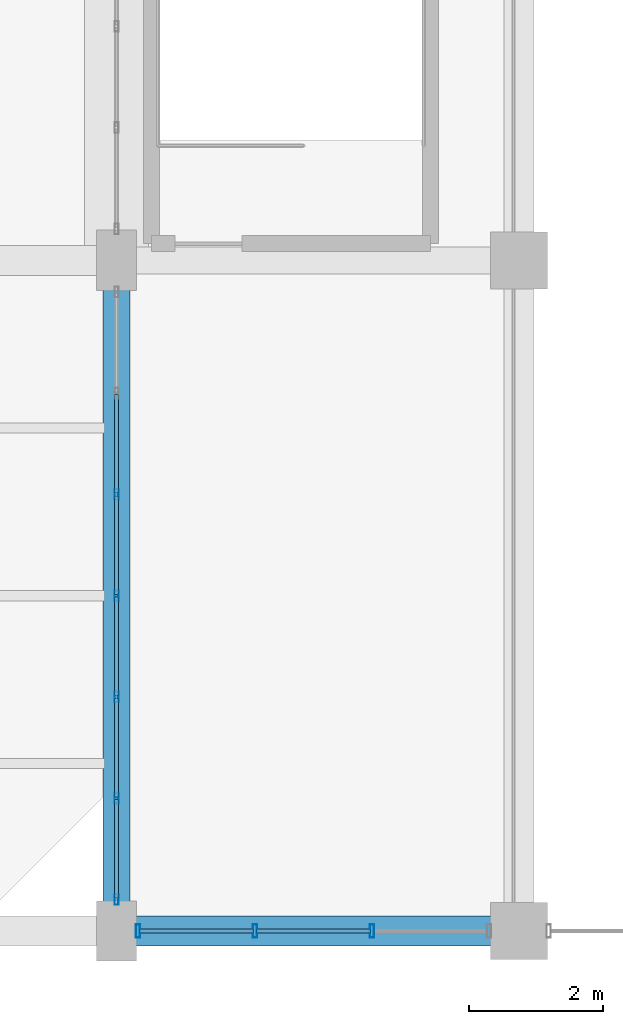
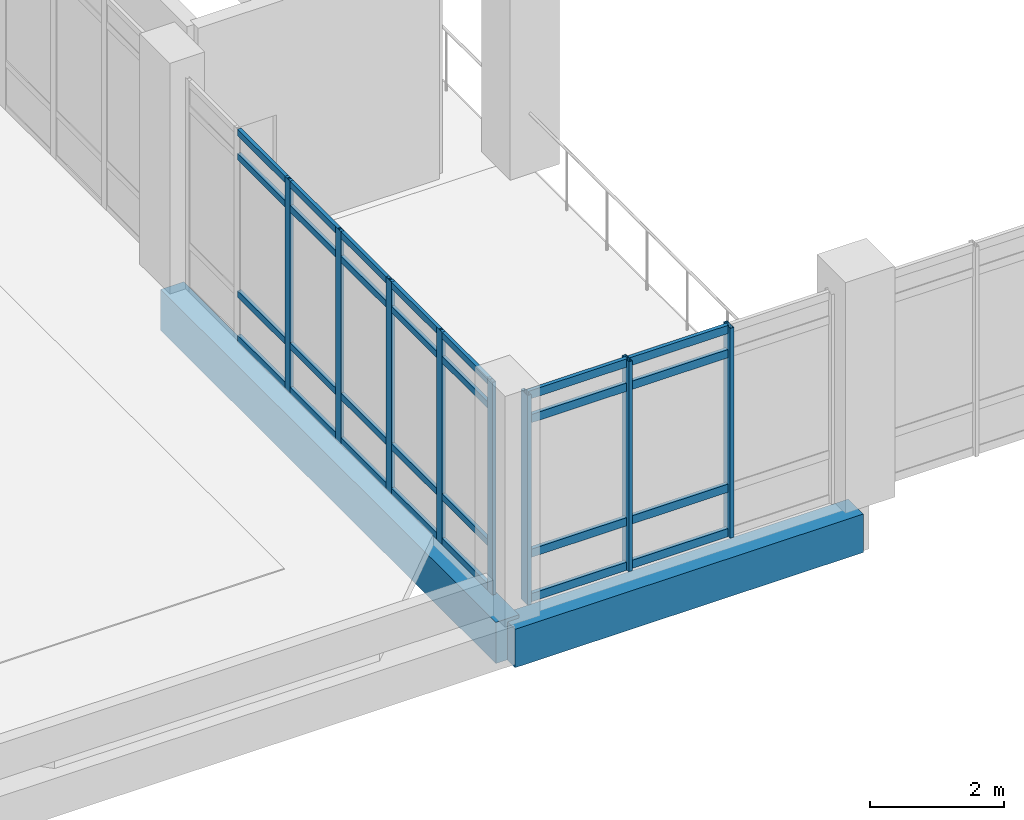
# One storey, part 47 of 161: 36 members, 2 beams, 2 elements without a shape of their own.
"""IFC4 building model written with IfcOpenShell, lengths in metres."""

from ifc_helpers import new_model, si_unit, direction, frame, origin, origin_2d, place, context, subcontext, project, spatial, rectangle, hollow_rectangle, extrude, material, layer, layer_set, material_profile, profile_set, type_object, element, aggregate, save


model = new_model("IFC4")

# Units and contexts
model_context = context("Model", 3, precision=1e-05, world=origin(), true_north=direction((0.0, 1.0)))
body_context = subcontext(model_context, "Body", "Model", "MODEL_VIEW")
ifc_project = project(units=[si_unit("LENGTHUNIT", "METRE"), si_unit("AREAUNIT", "SQUARE_METRE"), si_unit("VOLUMEUNIT", "CUBIC_METRE"), si_unit("PLANEANGLEUNIT", "RADIAN"), si_unit("MASSUNIT", "GRAM", prefix="KILO")], contexts=[model_context])

# Site, building, storey
site_placement = place(None, origin())
site = spatial("IfcSite", under=ifc_project, at=site_placement, CompositionType="ELEMENT")
building_placement = place(site_placement, origin())
building = spatial("IfcBuilding", under=site, at=building_placement, Name="Mersad Railyard Sports Hall", CompositionType="ELEMENT")
storey_placement = place(building_placement, frame((0.0, 0.0, 4.800048828125)))
storey = spatial("IfcBuildingStorey", under=building, at=storey_placement, Name="L01", CompositionType="ELEMENT", Elevation=4.800048828125)

# Curtain wall, members
ifc_material_1 = material(Name="Aluminium 6063-T6", Category="aluminium")
ifc_layer_1 = layer(ifc_material_1, 0.159912109375)
ifc_layer_set_1 = layer_set([ifc_layer_1], Name="Aluminium 6063-T6")
curtain_wall_type_1 = type_object("IfcCurtainWallType", Name="ARC-CW-CW14", PredefinedType="USERDEFINED", material=ifc_layer_set_1)
curtain_wall_1_placement = place(storey_placement, origin())
curtain_wall_1 = element("IfcCurtainWall", 1, at=curtain_wall_1_placement, inside=storey, type_object=curtain_wall_type_1, Name="Curtain wall CW14-0064", ObjectType="CURTAIN WALL", PredefinedType="USERDEFINED")
ifc_material_profile_1 = material_profile(ifc_material_1, hollow_rectangle(XDim=0.06005859375, YDim=0.159912109375, WallThickness=0.00390625, at=origin_2d()), Name="AL MULLION 60x160x4")
ifc_profile_set_1 = profile_set([ifc_material_profile_1], Name="Aluminium 6063-T6")
member_type_1 = type_object("IfcMemberType", Name="ARC-CW-MUL01", PredefinedType="MULLION", material=ifc_profile_set_1)
member_1_placement = place(storey_placement, frame((131.0, 3.969970703125, -0.02001953125), z_axis=(0.0, 0.0, 1.0), x_axis=(1.0, 0.0, 0.0)))
member_1 = element("IfcMember", 2, at=member_1_placement, type_object=member_type_1, Name="CW14 Mullion 1", PredefinedType="MULLION", context=body_context, shape_type="SweptSolid", body=[
    extrude(hollow_rectangle(XDim=0.06005859375, YDim=0.159912109375, WallThickness=0.00390625, at=origin_2d()), origin(), (0.0, 0.0, 1.0), 3.869873046875),
])
member_2_placement = place(storey_placement, frame((131.0, 5.47998046875, -0.02001953125), z_axis=(0.0, 0.0, 1.0), x_axis=(1.0, 0.0, 0.0)))
member_2 = element("IfcMember", 3, at=member_2_placement, type_object=member_type_1, Name="CW14 Mullion 2", PredefinedType="MULLION", context=body_context, shape_type="SweptSolid", body=[
    extrude(hollow_rectangle(XDim=0.06005859375, YDim=0.159912109375, WallThickness=0.00390625, at=origin_2d()), origin(), (0.0, 0.0, 1.0), 3.869873046875),
])
member_3_placement = place(storey_placement, frame((131.0, 6.989990234375, -0.02001953125), z_axis=(0.0, 0.0, 1.0), x_axis=(1.0, 0.0, 0.0)))
member_3 = element("IfcMember", 4, at=member_3_placement, type_object=member_type_1, Name="CW14 Mullion 3", PredefinedType="MULLION", context=body_context, shape_type="SweptSolid", body=[
    extrude(hollow_rectangle(XDim=0.06005859375, YDim=0.159912109375, WallThickness=0.00390625, at=origin_2d()), origin(), (0.0, 0.0, 1.0), 3.869873046875),
])
member_4_placement = place(storey_placement, frame((131.0, 8.5, -0.02001953125), z_axis=(0.0, 0.0, 1.0), x_axis=(1.0, 0.0, 0.0)))
member_4 = element("IfcMember", 5, at=member_4_placement, type_object=member_type_1, Name="CW14 Mullion 4", PredefinedType="MULLION", context=body_context, shape_type="SweptSolid", body=[
    extrude(hollow_rectangle(XDim=0.06005859375, YDim=0.159912109375, WallThickness=0.00390625, at=origin_2d()), origin(), (0.0, 0.0, 1.0), 3.869873046875),
])
member_5_placement = place(storey_placement, frame((131.0, 10.010009765625, -0.02001953125), z_axis=(0.0, 0.0, 1.0), x_axis=(1.0, 0.0, 0.0)))
member_5 = element("IfcMember", 6, at=member_5_placement, type_object=member_type_1, Name="CW14 Mullion 5", PredefinedType="MULLION", context=body_context, shape_type="SweptSolid", body=[
    extrude(hollow_rectangle(XDim=0.06005859375, YDim=0.159912109375, WallThickness=0.00390625, at=origin_2d()), origin(), (0.0, 0.0, 1.0), 3.869873046875),
])

ifc_layer_2 = layer(ifc_material_1, 0.199951171875)
ifc_layer_set_2 = layer_set([ifc_layer_2], Name="Aluminium 6063-T6")
curtain_wall_type_2 = type_object("IfcCurtainWallType", Name="ARC-CW-CW09", PredefinedType="USERDEFINED", material=ifc_layer_set_2)
curtain_wall_2_placement = place(storey_placement, origin())
curtain_wall_2 = element("IfcCurtainWall", 7, at=curtain_wall_2_placement, inside=storey, type_object=curtain_wall_type_2, Name="Curtain wall CW09-0036", ObjectType="CURTAIN WALL", PredefinedType="USERDEFINED")
ifc_material_profile_2 = material_profile(ifc_material_1, hollow_rectangle(XDim=0.06494140625, YDim=0.199951171875, WallThickness=0.0048828125, at=origin_2d()), Name="AL MULLION 65x200x5")
ifc_profile_set_2 = profile_set([ifc_material_profile_2], Name="Aluminium 6063-T6")
member_type_2 = type_object("IfcMemberType", Name="ARC-CW-MUL02", PredefinedType="MULLION", material=ifc_profile_set_2)
member_6_placement = place(storey_placement, frame((134.81005859375, 3.5, -0.02001953125), z_axis=(0.0, 0.0, 1.0), x_axis=(1.0, 0.0, 0.0)))
member_6 = element("IfcMember", 8, at=member_6_placement, type_object=member_type_2, Name="CW09 Mullion 2", PredefinedType="MULLION", context=body_context, shape_type="SweptSolid", body=[
    extrude(hollow_rectangle(XDim=0.06494140625, YDim=0.199951171875, WallThickness=0.0048828125, at=origin_2d()), origin(), (0.0, 0.0, 1.0), 3.820068359375),
])
member_7_placement = place(storey_placement, frame((133.06494140625, 3.5, -0.02001953125), z_axis=(0.0, 0.0, 1.0), x_axis=(1.0, 0.0, 0.0)))
member_7 = element("IfcMember", 9, at=member_7_placement, type_object=member_type_2, Name="CW09 Mullion 3", PredefinedType="MULLION", context=body_context, shape_type="SweptSolid", body=[
    extrude(hollow_rectangle(XDim=0.06494140625, YDim=0.199951171875, WallThickness=0.0048828125, at=origin_2d()), origin(), (0.0, 0.0, 1.0), 3.820068359375),
])
member_8_placement = place(storey_placement, frame((131.320068359375, 3.5, -0.02001953125), z_axis=(0.0, 0.0, 1.0), x_axis=(1.0, 0.0, 0.0)))
member_8 = element("IfcMember", 10, at=member_8_placement, type_object=member_type_2, Name="CW09 Mullion 4", PredefinedType="MULLION", context=body_context, shape_type="SweptSolid", body=[
    extrude(hollow_rectangle(XDim=0.06494140625, YDim=0.199951171875, WallThickness=0.0048828125, at=origin_2d()), origin(), (0.0, 0.0, 1.0), 3.820068359375),
])

# Member
ifc_material_profile_3 = material_profile(ifc_material_1, hollow_rectangle(XDim=0.06005859375, YDim=0.1201171875, WallThickness=0.00390625, at=origin_2d()), Name="AL TRANSOM 60x120x4")
ifc_profile_set_3 = profile_set([ifc_material_profile_3], Name="Aluminium 6063-T6")
member_type_3 = type_object("IfcMemberType", Name="ARC-CW-TRN01", PredefinedType="USERDEFINED", material=ifc_profile_set_3)
member_9_placement = place(storey_placement, frame((131.0, 3.989990234375, 0.0400390625), z_axis=(0.0, 1.0, 0.0), x_axis=(-1.0, 0.0, 0.0)))
member_9 = element("IfcMember", 11, at=member_9_placement, type_object=member_type_3, Name="CW14 Transom 1-1", ObjectType="TRANSOM", PredefinedType="USERDEFINED", context=body_context, shape_type="SweptSolid", body=[
    extrude(hollow_rectangle(XDim=0.06005859375, YDim=0.1201171875, WallThickness=0.00390625, at=origin_2d()), origin(), (0.0, 0.0, 1.0), 1.469970703125),
])

member_10_placement = place(storey_placement, frame((131.0, 5.5, 0.0400390625), z_axis=(0.0, 1.0, 0.0), x_axis=(-1.0, 0.0, 0.0)))
member_10 = element("IfcMember", 12, at=member_10_placement, type_object=member_type_3, Name="CW14 Transom 1-2", ObjectType="TRANSOM", PredefinedType="USERDEFINED", context=body_context, shape_type="SweptSolid", body=[
    extrude(hollow_rectangle(XDim=0.06005859375, YDim=0.1201171875, WallThickness=0.00390625, at=origin_2d()), origin(), (0.0, 0.0, 1.0), 1.469970703125),
])

member_11_placement = place(storey_placement, frame((131.0, 7.010009765625, 0.0400390625), z_axis=(0.0, 1.0, 0.0), x_axis=(-1.0, 0.0, 0.0)))
member_11 = element("IfcMember", 13, at=member_11_placement, type_object=member_type_3, Name="CW14 Transom 1-3", ObjectType="TRANSOM", PredefinedType="USERDEFINED", context=body_context, shape_type="SweptSolid", body=[
    extrude(hollow_rectangle(XDim=0.06005859375, YDim=0.1201171875, WallThickness=0.00390625, at=origin_2d()), origin(), (0.0, 0.0, 1.0), 1.469970703125),
])

member_12_placement = place(storey_placement, frame((131.0, 8.52001953125, 0.0400390625), z_axis=(0.0, 1.0, 0.0), x_axis=(-1.0, 0.0, 0.0)))
member_12 = element("IfcMember", 14, at=member_12_placement, type_object=member_type_3, Name="CW14 Transom 1-4", ObjectType="TRANSOM", PredefinedType="USERDEFINED", context=body_context, shape_type="SweptSolid", body=[
    extrude(hollow_rectangle(XDim=0.06005859375, YDim=0.1201171875, WallThickness=0.00390625, at=origin_2d()), origin(), (0.0, 0.0, 1.0), 1.469970703125),
])

member_13_placement = place(storey_placement, frame((131.0, 10.030029296875, 0.0400390625), z_axis=(0.0, 1.0, 0.0), x_axis=(-1.0, 0.0, 0.0)))
member_13 = element("IfcMember", 15, at=member_13_placement, type_object=member_type_3, Name="CW14 Transom 1-5", ObjectType="TRANSOM", PredefinedType="USERDEFINED", context=body_context, shape_type="SweptSolid", body=[
    extrude(hollow_rectangle(XDim=0.06005859375, YDim=0.1201171875, WallThickness=0.00390625, at=origin_2d()), origin(), (0.0, 0.0, 1.0), 1.469970703125),
])

member_14_placement = place(storey_placement, frame((131.0, 3.989990234375, 0.849853515625), z_axis=(0.0, 1.0, 0.0), x_axis=(-1.0, 0.0, 0.0)))
member_14 = element("IfcMember", 16, at=member_14_placement, type_object=member_type_3, Name="CW14 Transom 2-1", ObjectType="TRANSOM", PredefinedType="USERDEFINED", context=body_context, shape_type="SweptSolid", body=[
    extrude(hollow_rectangle(XDim=0.06005859375, YDim=0.1201171875, WallThickness=0.00390625, at=origin_2d()), origin(), (0.0, 0.0, 1.0), 1.469970703125),
])

member_15_placement = place(storey_placement, frame((131.0, 5.5, 0.849853515625), z_axis=(0.0, 1.0, 0.0), x_axis=(-1.0, 0.0, 0.0)))
member_15 = element("IfcMember", 17, at=member_15_placement, type_object=member_type_3, Name="CW14 Transom 2-2", ObjectType="TRANSOM", PredefinedType="USERDEFINED", context=body_context, shape_type="SweptSolid", body=[
    extrude(hollow_rectangle(XDim=0.06005859375, YDim=0.1201171875, WallThickness=0.00390625, at=origin_2d()), origin(), (0.0, 0.0, 1.0), 1.469970703125),
])

member_16_placement = place(storey_placement, frame((131.0, 7.010009765625, 0.849853515625), z_axis=(0.0, 1.0, 0.0), x_axis=(-1.0, 0.0, 0.0)))
member_16 = element("IfcMember", 18, at=member_16_placement, type_object=member_type_3, Name="CW14 Transom 2-3", ObjectType="TRANSOM", PredefinedType="USERDEFINED", context=body_context, shape_type="SweptSolid", body=[
    extrude(hollow_rectangle(XDim=0.06005859375, YDim=0.1201171875, WallThickness=0.00390625, at=origin_2d()), origin(), (0.0, 0.0, 1.0), 1.469970703125),
])

member_17_placement = place(storey_placement, frame((131.0, 8.52001953125, 0.849853515625), z_axis=(0.0, 1.0, 0.0), x_axis=(-1.0, 0.0, 0.0)))
member_17 = element("IfcMember", 19, at=member_17_placement, type_object=member_type_3, Name="CW14 Transom 2-4", ObjectType="TRANSOM", PredefinedType="USERDEFINED", context=body_context, shape_type="SweptSolid", body=[
    extrude(hollow_rectangle(XDim=0.06005859375, YDim=0.1201171875, WallThickness=0.00390625, at=origin_2d()), origin(), (0.0, 0.0, 1.0), 1.469970703125),
])

member_18_placement = place(storey_placement, frame((131.0, 10.030029296875, 0.849853515625), z_axis=(0.0, 1.0, 0.0), x_axis=(-1.0, 0.0, 0.0)))
member_18 = element("IfcMember", 20, at=member_18_placement, type_object=member_type_3, Name="CW14 Transom 2-5", ObjectType="TRANSOM", PredefinedType="USERDEFINED", context=body_context, shape_type="SweptSolid", body=[
    extrude(hollow_rectangle(XDim=0.06005859375, YDim=0.1201171875, WallThickness=0.00390625, at=origin_2d()), origin(), (0.0, 0.0, 1.0), 1.469970703125),
])

member_19_placement = place(storey_placement, frame((131.0, 3.989990234375, 3.349853515625), z_axis=(0.0, 1.0, 0.0), x_axis=(-1.0, 0.0, 0.0)))
member_19 = element("IfcMember", 21, at=member_19_placement, type_object=member_type_3, Name="CW14 Transom 3-1", ObjectType="TRANSOM", PredefinedType="USERDEFINED", context=body_context, shape_type="SweptSolid", body=[
    extrude(hollow_rectangle(XDim=0.06005859375, YDim=0.1201171875, WallThickness=0.00390625, at=origin_2d()), origin(), (0.0, 0.0, 1.0), 1.469970703125),
])

member_20_placement = place(storey_placement, frame((131.0, 5.5, 3.349853515625), z_axis=(0.0, 1.0, 0.0), x_axis=(-1.0, 0.0, 0.0)))
member_20 = element("IfcMember", 22, at=member_20_placement, type_object=member_type_3, Name="CW14 Transom 3-2", ObjectType="TRANSOM", PredefinedType="USERDEFINED", context=body_context, shape_type="SweptSolid", body=[
    extrude(hollow_rectangle(XDim=0.06005859375, YDim=0.1201171875, WallThickness=0.00390625, at=origin_2d()), origin(), (0.0, 0.0, 1.0), 1.469970703125),
])

member_21_placement = place(storey_placement, frame((131.0, 7.010009765625, 3.349853515625), z_axis=(0.0, 1.0, 0.0), x_axis=(-1.0, 0.0, 0.0)))
member_21 = element("IfcMember", 23, at=member_21_placement, type_object=member_type_3, Name="CW14 Transom 3-3", ObjectType="TRANSOM", PredefinedType="USERDEFINED", context=body_context, shape_type="SweptSolid", body=[
    extrude(hollow_rectangle(XDim=0.06005859375, YDim=0.1201171875, WallThickness=0.00390625, at=origin_2d()), origin(), (0.0, 0.0, 1.0), 1.469970703125),
])

member_22_placement = place(storey_placement, frame((131.0, 8.52001953125, 3.349853515625), z_axis=(0.0, 1.0, 0.0), x_axis=(-1.0, 0.0, 0.0)))
member_22 = element("IfcMember", 24, at=member_22_placement, type_object=member_type_3, Name="CW14 Transom 3-4", ObjectType="TRANSOM", PredefinedType="USERDEFINED", context=body_context, shape_type="SweptSolid", body=[
    extrude(hollow_rectangle(XDim=0.06005859375, YDim=0.1201171875, WallThickness=0.00390625, at=origin_2d()), origin(), (0.0, 0.0, 1.0), 1.469970703125),
])

member_23_placement = place(storey_placement, frame((131.0, 10.030029296875, 3.349853515625), z_axis=(0.0, 1.0, 0.0), x_axis=(-1.0, 0.0, 0.0)))
member_23 = element("IfcMember", 25, at=member_23_placement, type_object=member_type_3, Name="CW14 Transom 3-5", ObjectType="TRANSOM", PredefinedType="USERDEFINED", context=body_context, shape_type="SweptSolid", body=[
    extrude(hollow_rectangle(XDim=0.06005859375, YDim=0.1201171875, WallThickness=0.00390625, at=origin_2d()), origin(), (0.0, 0.0, 1.0), 1.469970703125),
])

member_24_placement = place(storey_placement, frame((131.0, 3.989990234375, 3.7900390625), z_axis=(0.0, 1.0, 0.0), x_axis=(-1.0, 0.0, 0.0)))
member_24 = element("IfcMember", 26, at=member_24_placement, type_object=member_type_3, Name="CW14 Transom 4-1", ObjectType="TRANSOM", PredefinedType="USERDEFINED", context=body_context, shape_type="SweptSolid", body=[
    extrude(hollow_rectangle(XDim=0.06005859375, YDim=0.1201171875, WallThickness=0.00390625, at=origin_2d()), origin(), (0.0, 0.0, 1.0), 1.469970703125),
])

member_25_placement = place(storey_placement, frame((131.0, 5.5, 3.7900390625), z_axis=(0.0, 1.0, 0.0), x_axis=(-1.0, 0.0, 0.0)))
member_25 = element("IfcMember", 27, at=member_25_placement, type_object=member_type_3, Name="CW14 Transom 4-2", ObjectType="TRANSOM", PredefinedType="USERDEFINED", context=body_context, shape_type="SweptSolid", body=[
    extrude(hollow_rectangle(XDim=0.06005859375, YDim=0.1201171875, WallThickness=0.00390625, at=origin_2d()), origin(), (0.0, 0.0, 1.0), 1.469970703125),
])

member_26_placement = place(storey_placement, frame((131.0, 7.010009765625, 3.7900390625), z_axis=(0.0, 1.0, 0.0), x_axis=(-1.0, 0.0, 0.0)))
member_26 = element("IfcMember", 28, at=member_26_placement, type_object=member_type_3, Name="CW14 Transom 4-3", ObjectType="TRANSOM", PredefinedType="USERDEFINED", context=body_context, shape_type="SweptSolid", body=[
    extrude(hollow_rectangle(XDim=0.06005859375, YDim=0.1201171875, WallThickness=0.00390625, at=origin_2d()), origin(), (0.0, 0.0, 1.0), 1.469970703125),
])

member_27_placement = place(storey_placement, frame((131.0, 8.52001953125, 3.7900390625), z_axis=(0.0, 1.0, 0.0), x_axis=(-1.0, 0.0, 0.0)))
member_27 = element("IfcMember", 29, at=member_27_placement, type_object=member_type_3, Name="CW14 Transom 4-4", ObjectType="TRANSOM", PredefinedType="USERDEFINED", context=body_context, shape_type="SweptSolid", body=[
    extrude(hollow_rectangle(XDim=0.06005859375, YDim=0.1201171875, WallThickness=0.00390625, at=origin_2d()), origin(), (0.0, 0.0, 1.0), 1.469970703125),
])

member_28_placement = place(storey_placement, frame((131.0, 10.030029296875, 3.7900390625), z_axis=(0.0, 1.0, 0.0), x_axis=(-1.0, 0.0, 0.0)))
member_28 = element("IfcMember", 30, at=member_28_placement, type_object=member_type_3, Name="CW14 Transom 4-5", ObjectType="TRANSOM", PredefinedType="USERDEFINED", context=body_context, shape_type="SweptSolid", body=[
    extrude(hollow_rectangle(XDim=0.06005859375, YDim=0.1201171875, WallThickness=0.00390625, at=origin_2d()), origin(), (0.0, 0.0, 1.0), 1.469970703125),
])

aggregate(curtain_wall_1, [member_1, member_2, member_3, member_4, member_5, member_9, member_10, member_11, member_12, member_13, member_14, member_15, member_16, member_17, member_18, member_19, member_20, member_21, member_22, member_23, member_24, member_25, member_26, member_27, member_28])

ifc_material_profile_4 = material_profile(ifc_material_1, hollow_rectangle(XDim=0.06494140625, YDim=0.14990234375, WallThickness=0.00439453125, at=origin_2d()), Name="AL TRANSOM 65x150x4.5")
ifc_profile_set_4 = profile_set([ifc_material_profile_4], Name="Aluminium 6063-T6")
member_type_4 = type_object("IfcMemberType", Name="ARC-CW-TRN02", PredefinedType="USERDEFINED", material=ifc_profile_set_4)
member_29_placement = place(storey_placement, frame((134.7900390625, 3.5, 0.0400390625), z_axis=(-1.0, 0.0, 0.0), x_axis=(0.0, -1.0, 0.0)))
member_29 = element("IfcMember", 31, at=member_29_placement, type_object=member_type_4, Name="CW09 Transom 1-2", ObjectType="TRANSOM", PredefinedType="USERDEFINED", context=body_context, shape_type="SweptSolid", body=[
    extrude(hollow_rectangle(XDim=0.06494140625, YDim=0.14990234375, WallThickness=0.00439453125, at=origin_2d()), origin(), (0.0, 0.0, 1.0), 1.705078125),
])

member_30_placement = place(storey_placement, frame((133.044921875, 3.5, 0.0400390625), z_axis=(-1.0, 0.0, 0.0), x_axis=(0.0, -1.0, 0.0)))
member_30 = element("IfcMember", 32, at=member_30_placement, type_object=member_type_4, Name="CW09 Transom 1-3", ObjectType="TRANSOM", PredefinedType="USERDEFINED", context=body_context, shape_type="SweptSolid", body=[
    extrude(hollow_rectangle(XDim=0.06494140625, YDim=0.14990234375, WallThickness=0.00439453125, at=origin_2d()), origin(), (0.0, 0.0, 1.0), 1.704833984375),
])

member_31_placement = place(storey_placement, frame((134.7900390625, 3.5, 0.849853515625), z_axis=(-1.0, 0.0, 0.0), x_axis=(0.0, -1.0, 0.0)))
member_31 = element("IfcMember", 33, at=member_31_placement, type_object=member_type_4, Name="CW09 Transom 2-2", ObjectType="TRANSOM", PredefinedType="USERDEFINED", context=body_context, shape_type="SweptSolid", body=[
    extrude(hollow_rectangle(XDim=0.06494140625, YDim=0.14990234375, WallThickness=0.00439453125, at=origin_2d()), origin(), (0.0, 0.0, 1.0), 1.705078125),
])

member_32_placement = place(storey_placement, frame((133.044921875, 3.5, 0.849853515625), z_axis=(-1.0, 0.0, 0.0), x_axis=(0.0, -1.0, 0.0)))
member_32 = element("IfcMember", 34, at=member_32_placement, type_object=member_type_4, Name="CW09 Transom 2-3", ObjectType="TRANSOM", PredefinedType="USERDEFINED", context=body_context, shape_type="SweptSolid", body=[
    extrude(hollow_rectangle(XDim=0.06494140625, YDim=0.14990234375, WallThickness=0.00439453125, at=origin_2d()), origin(), (0.0, 0.0, 1.0), 1.704833984375),
])

member_33_placement = place(storey_placement, frame((134.7900390625, 3.5, 3.300048828125), z_axis=(-1.0, 0.0, 0.0), x_axis=(0.0, -1.0, 0.0)))
member_33 = element("IfcMember", 35, at=member_33_placement, type_object=member_type_4, Name="CW09 Transom 3-2", ObjectType="TRANSOM", PredefinedType="USERDEFINED", context=body_context, shape_type="SweptSolid", body=[
    extrude(hollow_rectangle(XDim=0.06494140625, YDim=0.14990234375, WallThickness=0.00439453125, at=origin_2d()), origin(), (0.0, 0.0, 1.0), 1.705078125),
])

member_34_placement = place(storey_placement, frame((133.044921875, 3.5, 3.300048828125), z_axis=(-1.0, 0.0, 0.0), x_axis=(0.0, -1.0, 0.0)))
member_34 = element("IfcMember", 36, at=member_34_placement, type_object=member_type_4, Name="CW09 Transom 3-3", ObjectType="TRANSOM", PredefinedType="USERDEFINED", context=body_context, shape_type="SweptSolid", body=[
    extrude(hollow_rectangle(XDim=0.06494140625, YDim=0.14990234375, WallThickness=0.00439453125, at=origin_2d()), origin(), (0.0, 0.0, 1.0), 1.704833984375),
])

member_35_placement = place(storey_placement, frame((134.7900390625, 3.5, 3.739990234375), z_axis=(-1.0, 0.0, 0.0), x_axis=(0.0, -1.0, 0.0)))
member_35 = element("IfcMember", 37, at=member_35_placement, type_object=member_type_4, Name="CW09 Transom 4-2", ObjectType="TRANSOM", PredefinedType="USERDEFINED", context=body_context, shape_type="SweptSolid", body=[
    extrude(hollow_rectangle(XDim=0.06494140625, YDim=0.14990234375, WallThickness=0.00439453125, at=origin_2d()), origin(), (0.0, 0.0, 1.0), 1.705078125),
])

member_36_placement = place(storey_placement, frame((133.044921875, 3.5, 3.739990234375), z_axis=(-1.0, 0.0, 0.0), x_axis=(0.0, -1.0, 0.0)))
member_36 = element("IfcMember", 38, at=member_36_placement, type_object=member_type_4, Name="CW09 Transom 4-3", ObjectType="TRANSOM", PredefinedType="USERDEFINED", context=body_context, shape_type="SweptSolid", body=[
    extrude(hollow_rectangle(XDim=0.06494140625, YDim=0.14990234375, WallThickness=0.00439453125, at=origin_2d()), origin(), (0.0, 0.0, 1.0), 1.704833984375),
])

aggregate(curtain_wall_2, [member_6, member_7, member_8, member_29, member_30, member_31, member_32, member_33, member_34, member_35, member_36])

# Beams
ifc_material_2 = material(Name="Concrete C40/50", Category="concrete")
ifc_material_profile_5 = material_profile(ifc_material_2, rectangle(XDim=0.39990234375, YDim=0.75, at=origin_2d()), Name="RC 400x750")
ifc_profile_set_5 = profile_set([ifc_material_profile_5], Name="Concrete C40/50")
beam_type_1 = type_object("IfcBeamType", Name="STR-BM-B01", PredefinedType="BEAM", material=ifc_profile_set_5)
beam_1_placement = place(storey_placement, frame((131.0, 3.5, -0.594970703125), z_axis=(0.0, 1.0, 0.0), x_axis=(-1.0, 0.0, 0.0)))
element("IfcBeam", 39, at=beam_1_placement, inside=storey, type_object=beam_type_1, Name="Beam B01-0600", PredefinedType="BEAM", context=body_context, shape_type="SweptSolid", body=[
    extrude(rectangle(XDim=0.39990234375, YDim=0.75, at=origin_2d()), origin(), (0.0, 0.0, 1.0), 10.0),
])
ifc_material_3 = material(Name="Architectural concrete C40/50", Category="concrete")
ifc_material_profile_6 = material_profile(ifc_material_3, rectangle(XDim=0.449951171875, YDim=0.699951171875, at=origin_2d()), Name="RC 450x700")
ifc_profile_set_6 = profile_set([ifc_material_profile_6], Name="Architectural concrete C40/50")
beam_type_2 = type_object("IfcBeamType", Name="STR-BM-SP01", PredefinedType="SPANDREL", material=ifc_profile_set_6)
beam_2_placement = place(storey_placement, frame((131.0, 3.5, -0.630126953125), z_axis=(1.0, 0.0, 0.0), x_axis=(0.0, 1.0, 0.0)))
element("IfcBeam", 40, at=beam_2_placement, inside=storey, type_object=beam_type_2, Name="Beam SP01-0627", PredefinedType="SPANDREL", context=body_context, shape_type="SweptSolid", body=[
    extrude(rectangle(XDim=0.449951171875, YDim=0.699951171875, at=origin_2d()), origin(), (0.0, 0.0, 1.0), 6.0),
])

save(model, "model.ifc")
